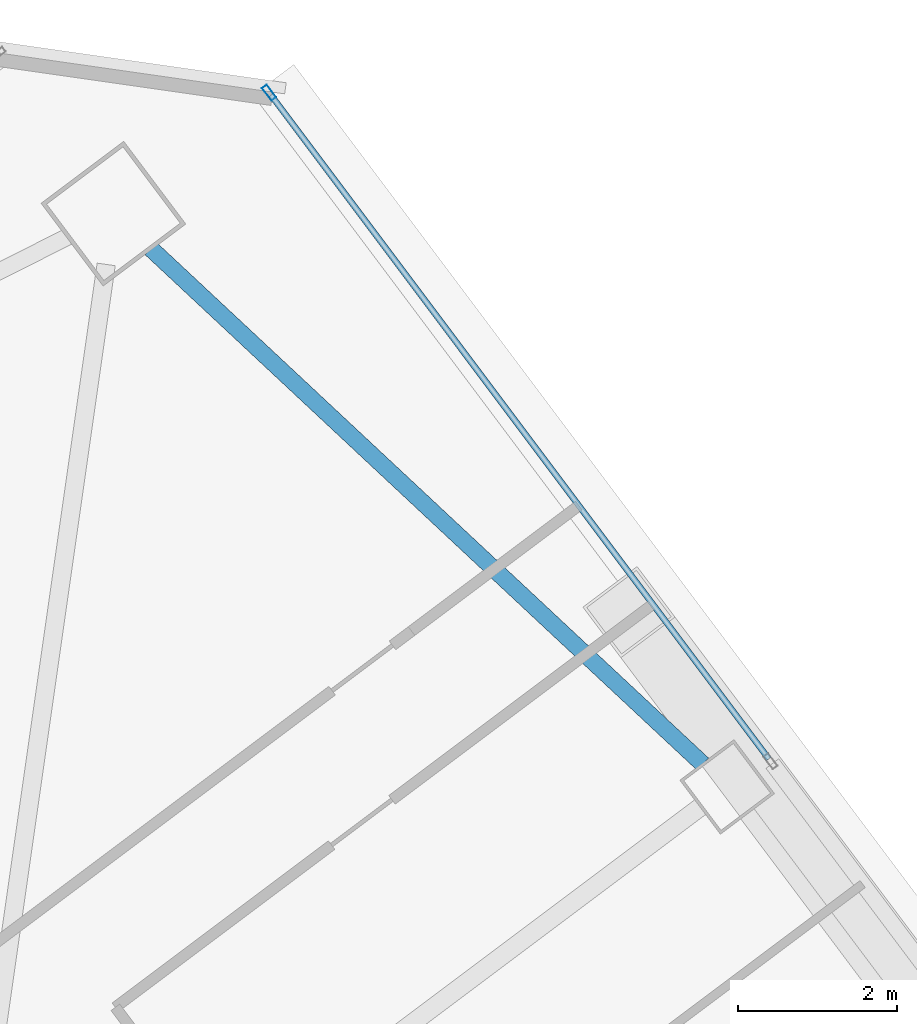
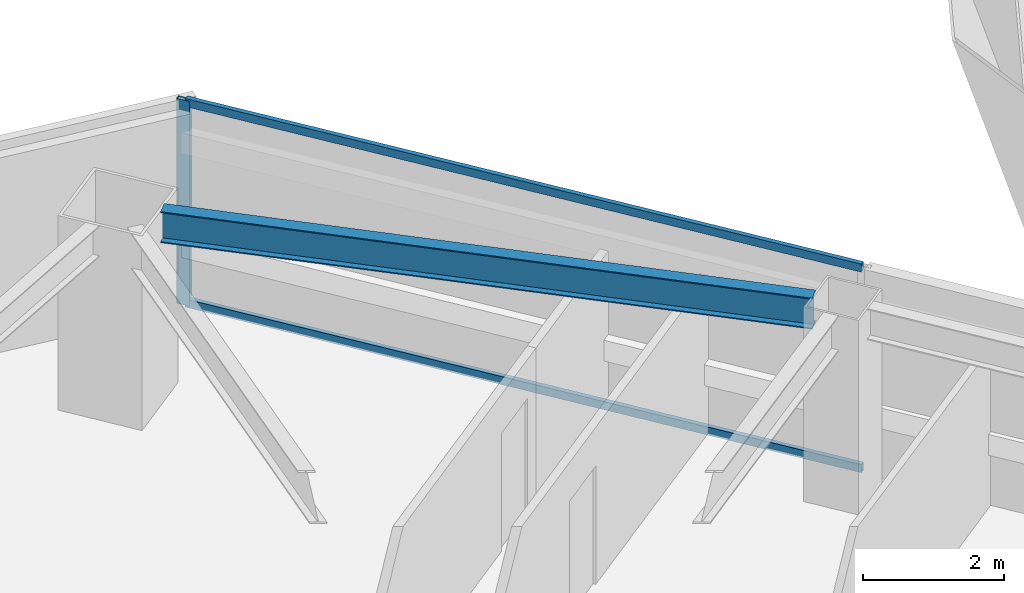
# One storey, part 38 of 50: 3 members, 1 beam, 1 element without a shape of its own.
"""IFC4 building model written with IfcOpenShell, lengths in metres."""

from ifc_helpers import new_model, si_unit, direction, frame, origin, origin_2d, place, context, subcontext, project, spatial, hollow_rectangle, i_section, extrude, material, material_profile, profile_set, type_object, element, aggregate, save


model = new_model("IFC4")

# Units and contexts
model_context = context("Model", 3, precision=1e-05, world=origin(), true_north=direction((0.0, 1.0)))
body_context = subcontext(model_context, "Body", "Model", "MODEL_VIEW")
ifc_project = project(units=[si_unit("LENGTHUNIT", "METRE"), si_unit("AREAUNIT", "SQUARE_METRE"), si_unit("VOLUMEUNIT", "CUBIC_METRE"), si_unit("PLANEANGLEUNIT", "RADIAN"), si_unit("MASSUNIT", "GRAM", prefix="KILO")], contexts=[model_context])

# Site, building, storey
site_placement = place(None, origin())
site = spatial("IfcSite", under=ifc_project, at=site_placement, CompositionType="ELEMENT")
building_placement = place(site_placement, origin())
building = spatial("IfcBuilding", under=site, at=building_placement, Name="Tashvorn Skyway Center", CompositionType="ELEMENT")
storey_placement = place(building_placement, frame((0.0, 0.0, 114.39990234375)))
storey = spatial("IfcBuildingStorey", under=building, at=storey_placement, Name="L30", CompositionType="ELEMENT", Elevation=114.39990234375)

# Beam
ifc_material_1 = material(Name="Steel ASTM A992 Grade 50", Category="steel")
ifc_material_profile_1 = material_profile(ifc_material_1, i_section(OverallWidth=0.2109375, OverallDepth=0.5390625, WebThickness=0.01171875, FlangeThickness=0.018798828125, at=origin_2d()), Name="W21X73")
ifc_profile_set_1 = profile_set([ifc_material_profile_1], Name="Steel ASTM A992 Grade 50")
beam_type = type_object("IfcBeamType", Name="BM-SPANDREL-W21X73", PredefinedType="SPANDREL", material=ifc_profile_set_1)
beam_placement = place(storey_placement, frame((124.572998046875, 47.19677734375, 3.1005859375), z_axis=(-0.730843250868, 0.682545341102, 0.0), x_axis=(-0.682545341102, -0.730843250868, 0.0)))
element("IfcBeam", 1, at=beam_placement, inside=storey, type_object=beam_type, Name="Tower 2 L30 Spandrel Beam 06", PredefinedType="SPANDREL", context=body_context, shape_type="SweptSolid", body=[
    extrude(i_section(OverallWidth=0.2109375, OverallDepth=0.5390625, WebThickness=0.01171875, FlangeThickness=0.018798828125, at=origin_2d()), origin(), (0.0, 0.0, 1.0), 9.498046875),
])

# Curtain wall, members
ifc_material_2 = material(Name="Thermally broken bronze-anodized aluminium 6063-T6", Category="aluminium")
curtain_wall_type = type_object("IfcCurtainWallType", Name="CW-CW-Z3", PredefinedType="NOTDEFINED", material=ifc_material_2)
curtain_wall_placement = place(storey_placement, origin())
curtain_wall = element("IfcCurtainWall", 2, at=curtain_wall_placement, inside=storey, type_object=curtain_wall_type, Name="Tower 2 L30 East Unitised Curtain Wall Glazing Group 1", PredefinedType="NOTDEFINED")
ifc_material_profile_2 = material_profile(ifc_material_2, hollow_rectangle(XDim=0.074951171875, YDim=0.199951171875, WallThickness=0.00439453125, at=origin_2d()), Name="ALU-MULL-75x200")
ifc_profile_set_2 = profile_set([ifc_material_profile_2], Name="Thermally broken bronze-anodized aluminium 6063-T6")
member_type_1 = type_object("IfcMemberType", Name="CWM-CW-Z3", PredefinedType="MULLION", material=ifc_profile_set_2)
member_1_placement = place(storey_placement, frame((119.118408203125, 55.64208984375, 0.0), z_axis=(0.0, 0.0, 1.0), x_axis=(0.799998866489, 0.600001511345, 0.0)))
member_1 = element("IfcMember", 3, at=member_1_placement, type_object=member_type_1, Name="CW-Z3 mullion 1", PredefinedType="MULLION", context=body_context, shape_type="SweptSolid", body=[
    extrude(hollow_rectangle(XDim=0.074951171875, YDim=0.199951171875, WallThickness=0.00439453125, at=origin_2d()), origin(), (0.0, 0.0, 1.0), 3.550048828125),
])
ifc_material_profile_3 = material_profile(ifc_material_2, hollow_rectangle(XDim=0.074951171875, YDim=0.139892578125, WallThickness=0.004150390625, at=origin_2d()), Name="ALU-TRAN-75x140")
ifc_profile_set_3 = profile_set([ifc_material_profile_3], Name="Thermally broken bronze-anodized aluminium 6063-T6")
member_type_2 = type_object("IfcMemberType", Name="CWT-CW-Z3", PredefinedType="USERDEFINED", material=ifc_profile_set_3)
member_2_placement = place(storey_placement, frame((119.14111328125, 55.612060546875, 0.03759765625), z_axis=(0.599996257181, -0.800002807101, 0.0), x_axis=(0.800002807101, 0.599996257181, 0.0)))
member_2 = element("IfcMember", 4, at=member_2_placement, type_object=member_type_2, Name="CW-Z3 transom 1.1", ObjectType="TRANSOM", PredefinedType="USERDEFINED", context=body_context, shape_type="SweptSolid", body=[
    extrude(hollow_rectangle(XDim=0.074951171875, YDim=0.139892578125, WallThickness=0.004150390625, at=origin_2d()), origin(), (0.0, 0.0, 1.0), 10.436767578125),
])
member_3_placement = place(storey_placement, frame((119.14111328125, 55.612060546875, 3.5126953125), z_axis=(0.599996257181, -0.800002807101, 0.0), x_axis=(0.800002807101, 0.599996257181, 0.0)))
member_3 = element("IfcMember", 5, at=member_3_placement, type_object=member_type_2, Name="CW-Z3 transom 1.2", ObjectType="TRANSOM", PredefinedType="USERDEFINED", context=body_context, shape_type="SweptSolid", body=[
    extrude(hollow_rectangle(XDim=0.074951171875, YDim=0.139892578125, WallThickness=0.004150390625, at=origin_2d()), origin(), (0.0, 0.0, 1.0), 10.436767578125),
])
aggregate(curtain_wall, [member_1, member_2, member_3])

save(model, "model.ifc")
